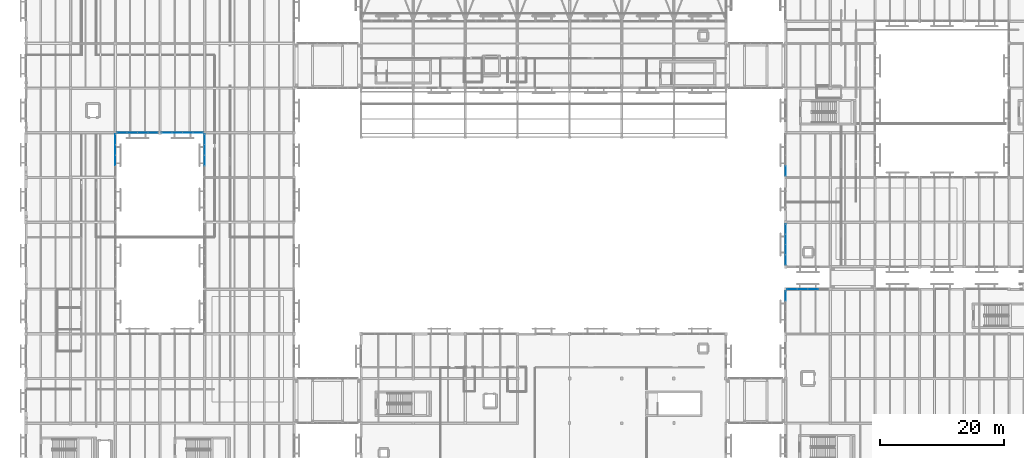
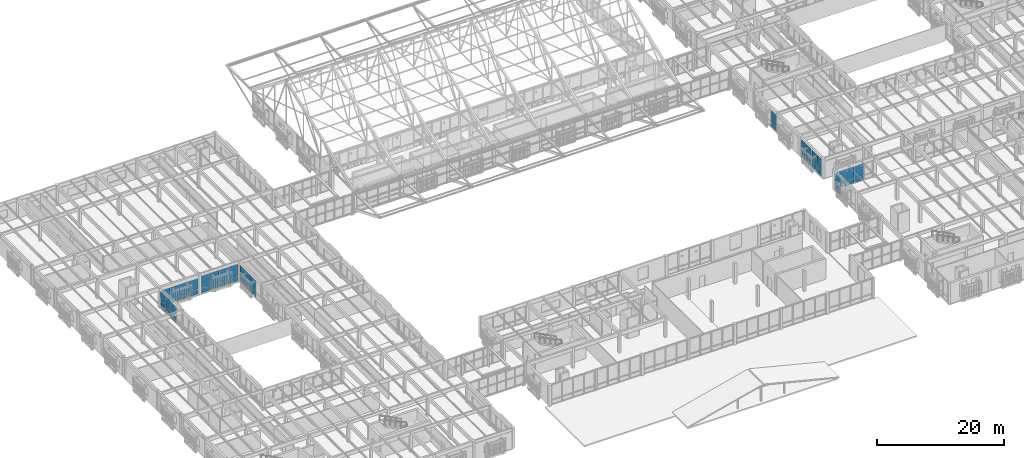
# One storey, part 167 of 217: 46 plates, 8 elements without a shape of their own.
"""IFC4 building model written with IfcOpenShell, lengths in metres."""

from ifc_helpers import new_model, si_unit, direction, frame, origin, origin_2d, place, context, subcontext, project, spatial, rectangle, extrude, material, layer, layer_set, type_object, element, aggregate, save


model = new_model("IFC4")

# Units and contexts
model_context = context("Model", 3, precision=1e-05, world=origin(), true_north=direction((0.0, 1.0)))
body_context = subcontext(model_context, "Body", "Model", "MODEL_VIEW")
ifc_project = project(units=[si_unit("LENGTHUNIT", "METRE"), si_unit("AREAUNIT", "SQUARE_METRE"), si_unit("VOLUMEUNIT", "CUBIC_METRE"), si_unit("PLANEANGLEUNIT", "RADIAN"), si_unit("MASSUNIT", "GRAM", prefix="KILO")], contexts=[model_context])

# Site, building, storey
site_placement = place(None, origin())
site = spatial("IfcSite", under=ifc_project, at=site_placement, CompositionType="ELEMENT")
building_placement = place(site_placement, origin())
building = spatial("IfcBuilding", under=site, at=building_placement, Name="Mazaris Harbour Polytechnic", CompositionType="ELEMENT")
storey_placement = place(building_placement, frame((0.0, 0.0, 9.60009765625)))
storey = spatial("IfcBuildingStorey", under=building, at=storey_placement, Name="L02", CompositionType="ELEMENT", Elevation=9.60009765625)

# Curtain wall, plates
ifc_material_1 = material(Name="Anodised Bronze Aluminium and Low-E Glass", Category="aluminium")
ifc_layer_1 = layer(ifc_material_1, 0.159912109375, Name="Anodised Bronze Aluminium and Low-E Glass")
ifc_layer_set_1 = layer_set([ifc_layer_1], Name="Anodised Bronze Aluminium and Low-E Glass")
curtain_wall_type_1 = type_object("IfcCurtainWallType", Name="Cloister Court Curtain Wall", PredefinedType="NOTDEFINED", material=ifc_layer_set_1)
curtain_wall_1_placement = place(storey_placement, origin())
curtain_wall_1 = element("IfcCurtainWall", 1, at=curtain_wall_1_placement, inside=storey, type_object=curtain_wall_type_1, Name="V2 L02 Curtain Wall 49", PredefinedType="NOTDEFINED")
ifc_material_2 = material(Name="Low-E Double Glazing", Category="glass")
ifc_layer_2 = layer(ifc_material_2, 0.028076171875, Name="Low-E Double Glazing")
ifc_layer_set_2 = layer_set([ifc_layer_2], Name="Low-E Double Glazing")
plate_type_1 = type_object("IfcPlateType", Name="Low-E Vision Glass Panel 28", PredefinedType="CURTAIN_PANEL", material=ifc_layer_set_2)
plate_1_placement = place(storey_placement, frame((123.457763671875, 43.199951171875, 0.079833984375), z_axis=(0.0, 0.0, 1.0), x_axis=(1.0, 0.0, 0.0)))
plate_1 = element("IfcPlate", 2, at=plate_1_placement, type_object=plate_type_1, Name="CW-02 panel 1.1", PredefinedType="CURTAIN_PANEL", context=body_context, shape_type="SweptSolid", body=[
    extrude(rectangle(XDim=1.571533203125, YDim=0.028076171875, at=origin_2d()), origin(), (0.0, 0.0, 1.0), 0.830078125),
])
plate_2_placement = place(storey_placement, frame((123.457763671875, 43.199951171875, 0.98974609375), z_axis=(0.0, 0.0, 1.0), x_axis=(1.0, 0.0, 0.0)))
plate_2 = element("IfcPlate", 3, at=plate_2_placement, type_object=plate_type_1, Name="CW-02 panel 1.2", PredefinedType="CURTAIN_PANEL", context=body_context, shape_type="SweptSolid", body=[
    extrude(rectangle(XDim=1.571533203125, YDim=0.028076171875, at=origin_2d()), origin(), (0.0, 0.0, 1.0), 2.199951171875),
])
plate_3_placement = place(storey_placement, frame((125.129150390625, 43.199951171875, 0.079833984375), z_axis=(0.0, 0.0, 1.0), x_axis=(1.0, 0.0, 0.0)))
plate_3 = element("IfcPlate", 4, at=plate_3_placement, type_object=plate_type_1, Name="CW-02 panel 2.1", PredefinedType="CURTAIN_PANEL", context=body_context, shape_type="SweptSolid", body=[
    extrude(rectangle(XDim=1.611572265625, YDim=0.028076171875, at=origin_2d()), origin(), (0.0, 0.0, 1.0), 0.830078125),
])
plate_4_placement = place(storey_placement, frame((125.129150390625, 43.199951171875, 0.98974609375), z_axis=(0.0, 0.0, 1.0), x_axis=(1.0, 0.0, 0.0)))
plate_4 = element("IfcPlate", 5, at=plate_4_placement, type_object=plate_type_1, Name="CW-02 panel 2.2", PredefinedType="CURTAIN_PANEL", context=body_context, shape_type="SweptSolid", body=[
    extrude(rectangle(XDim=1.611572265625, YDim=0.028076171875, at=origin_2d()), origin(), (0.0, 0.0, 1.0), 2.199951171875),
])
plate_5_placement = place(storey_placement, frame((126.82080078125, 43.199951171875, 0.079833984375), z_axis=(0.0, 0.0, 1.0), x_axis=(1.0, 0.0, 0.0)))
plate_5 = element("IfcPlate", 6, at=plate_5_placement, type_object=plate_type_1, Name="CW-02 panel 3.1", PredefinedType="CURTAIN_PANEL", context=body_context, shape_type="SweptSolid", body=[
    extrude(rectangle(XDim=1.611572265625, YDim=0.028076171875, at=origin_2d()), origin(), (0.0, 0.0, 1.0), 0.830078125),
])
plate_6_placement = place(storey_placement, frame((126.82080078125, 43.199951171875, 0.98974609375), z_axis=(0.0, 0.0, 1.0), x_axis=(1.0, 0.0, 0.0)))
plate_6 = element("IfcPlate", 7, at=plate_6_placement, type_object=plate_type_1, Name="CW-02 panel 3.2", PredefinedType="CURTAIN_PANEL", context=body_context, shape_type="SweptSolid", body=[
    extrude(rectangle(XDim=1.611572265625, YDim=0.028076171875, at=origin_2d()), origin(), (0.0, 0.0, 1.0), 2.199951171875),
])
aggregate(curtain_wall_1, [plate_1, plate_2, plate_3, plate_4, plate_5, plate_6])

curtain_wall_2_placement = place(storey_placement, origin())
curtain_wall_2 = element("IfcCurtainWall", 8, at=curtain_wall_2_placement, inside=storey, type_object=curtain_wall_type_1, Name="V2 L02 Curtain Wall 54", PredefinedType="NOTDEFINED")
plate_7_placement = place(storey_placement, frame((122.39990234375, 42.079833984375, 0.079833984375), z_axis=(0.0, 0.0, 1.0), x_axis=(0.0, 1.0, 0.0)))
plate_7 = element("IfcPlate", 9, at=plate_7_placement, type_object=plate_type_1, Name="CW-02 panel 4.1", PredefinedType="CURTAIN_PANEL", context=body_context, shape_type="SweptSolid", body=[
    extrude(rectangle(XDim=1.556396484375, YDim=0.028076171875, at=origin_2d()), origin(), (0.0, 0.0, 1.0), 0.830078125),
])
plate_8_placement = place(storey_placement, frame((122.39990234375, 42.079833984375, 0.98974609375), z_axis=(0.0, 0.0, 1.0), x_axis=(0.0, 1.0, 0.0)))
plate_8 = element("IfcPlate", 10, at=plate_8_placement, type_object=plate_type_1, Name="CW-02 panel 4.2", PredefinedType="CURTAIN_PANEL", context=body_context, shape_type="SweptSolid", body=[
    extrude(rectangle(XDim=1.556396484375, YDim=0.028076171875, at=origin_2d()), origin(), (0.0, 0.0, 1.0), 2.260009765625),
])
aggregate(curtain_wall_2, [plate_7, plate_8])

curtain_wall_3_placement = place(storey_placement, origin())
curtain_wall_3 = element("IfcCurtainWall", 11, at=curtain_wall_3_placement, inside=storey, type_object=curtain_wall_type_1, Name="V4 L02 Curtain Wall 135", PredefinedType="NOTDEFINED")
plate_9_placement = place(storey_placement, frame((20.493408203125, 68.39990234375, 0.079833984375), z_axis=(0.0, 0.0, 1.0), x_axis=(-1.0, 0.0, 0.0)))
plate_9 = element("IfcPlate", 12, at=plate_9_placement, type_object=plate_type_1, Name="CW-02 panel 1.1", PredefinedType="CURTAIN_PANEL", context=body_context, shape_type="SweptSolid", body=[
    extrude(rectangle(XDim=1.569091796875, YDim=0.028076171875, at=origin_2d()), origin(), (0.0, 0.0, 1.0), 0.830078125),
])
plate_10_placement = place(storey_placement, frame((20.493408203125, 68.39990234375, 0.98974609375), z_axis=(0.0, 0.0, 1.0), x_axis=(-1.0, 0.0, 0.0)))
plate_10 = element("IfcPlate", 13, at=plate_10_placement, type_object=plate_type_1, Name="CW-02 panel 1.2", PredefinedType="CURTAIN_PANEL", context=body_context, shape_type="SweptSolid", body=[
    extrude(rectangle(XDim=1.569091796875, YDim=0.028076171875, at=origin_2d()), origin(), (0.0, 0.0, 1.0), 2.070068359375),
])
plate_11_placement = place(storey_placement, frame((18.824462890625, 68.39990234375, 0.079833984375), z_axis=(0.0, 0.0, 1.0), x_axis=(-1.0, 0.0, 0.0)))
plate_11 = element("IfcPlate", 14, at=plate_11_placement, type_object=plate_type_1, Name="CW-02 panel 2.1", PredefinedType="CURTAIN_PANEL", context=body_context, shape_type="SweptSolid", body=[
    extrude(rectangle(XDim=1.60888671875, YDim=0.028076171875, at=origin_2d()), origin(), (0.0, 0.0, 1.0), 0.830078125),
])
plate_12_placement = place(storey_placement, frame((18.824462890625, 68.39990234375, 0.98974609375), z_axis=(0.0, 0.0, 1.0), x_axis=(-1.0, 0.0, 0.0)))
plate_12 = element("IfcPlate", 15, at=plate_12_placement, type_object=plate_type_1, Name="CW-02 panel 2.2", PredefinedType="CURTAIN_PANEL", context=body_context, shape_type="SweptSolid", body=[
    extrude(rectangle(XDim=1.60888671875, YDim=0.028076171875, at=origin_2d()), origin(), (0.0, 0.0, 1.0), 2.070068359375),
])
plate_13_placement = place(storey_placement, frame((17.135498046875, 68.39990234375, 0.079833984375), z_axis=(0.0, 0.0, 1.0), x_axis=(-1.0, 0.0, 0.0)))
plate_13 = element("IfcPlate", 16, at=plate_13_placement, type_object=plate_type_1, Name="CW-02 panel 3.1", PredefinedType="CURTAIN_PANEL", context=body_context, shape_type="SweptSolid", body=[
    extrude(rectangle(XDim=1.60888671875, YDim=0.028076171875, at=origin_2d()), origin(), (0.0, 0.0, 1.0), 0.830078125),
])
plate_14_placement = place(storey_placement, frame((17.135498046875, 68.39990234375, 0.98974609375), z_axis=(0.0, 0.0, 1.0), x_axis=(-1.0, 0.0, 0.0)))
plate_14 = element("IfcPlate", 17, at=plate_14_placement, type_object=plate_type_1, Name="CW-02 panel 3.2", PredefinedType="CURTAIN_PANEL", context=body_context, shape_type="SweptSolid", body=[
    extrude(rectangle(XDim=1.60888671875, YDim=0.028076171875, at=origin_2d()), origin(), (0.0, 0.0, 1.0), 2.070068359375),
])
plate_15_placement = place(storey_placement, frame((15.466552734375, 68.39990234375, 0.079833984375), z_axis=(0.0, 0.0, 1.0), x_axis=(-1.0, 0.0, 0.0)))
plate_15 = element("IfcPlate", 18, at=plate_15_placement, type_object=plate_type_1, Name="CW-02 panel 4.1", PredefinedType="CURTAIN_PANEL", context=body_context, shape_type="SweptSolid", body=[
    extrude(rectangle(XDim=1.569091796875, YDim=0.028076171875, at=origin_2d()), origin(), (0.0, 0.0, 1.0), 0.830078125),
])
plate_16_placement = place(storey_placement, frame((15.466552734375, 68.39990234375, 0.98974609375), z_axis=(0.0, 0.0, 1.0), x_axis=(-1.0, 0.0, 0.0)))
plate_16 = element("IfcPlate", 19, at=plate_16_placement, type_object=plate_type_1, Name="CW-02 panel 4.2", PredefinedType="CURTAIN_PANEL", context=body_context, shape_type="SweptSolid", body=[
    extrude(rectangle(XDim=1.569091796875, YDim=0.028076171875, at=origin_2d()), origin(), (0.0, 0.0, 1.0), 2.070068359375),
])
aggregate(curtain_wall_3, [plate_9, plate_10, plate_11, plate_12, plate_13, plate_14, plate_15, plate_16])

curtain_wall_4_placement = place(storey_placement, origin())
curtain_wall_4 = element("IfcCurtainWall", 20, at=curtain_wall_4_placement, inside=storey, type_object=curtain_wall_type_1, Name="V4 L02 Curtain Wall 136", PredefinedType="NOTDEFINED")
plate_17_placement = place(storey_placement, frame((27.7509765625, 68.39990234375, 0.079833984375), z_axis=(0.0, 0.0, 1.0), x_axis=(-1.0, 0.0, 0.0)))
plate_17 = element("IfcPlate", 21, at=plate_17_placement, type_object=plate_type_1, Name="CW-02 panel 1.1", PredefinedType="CURTAIN_PANEL", context=body_context, shape_type="SweptSolid", body=[
    extrude(rectangle(XDim=1.573974609375, YDim=0.028076171875, at=origin_2d()), origin(), (0.0, 0.0, 1.0), 0.830078125),
])
plate_18_placement = place(storey_placement, frame((27.7509765625, 68.39990234375, 0.989990234375), z_axis=(0.0, 0.0, 1.0), x_axis=(-1.0, 0.0, 0.0)))
plate_18 = element("IfcPlate", 22, at=plate_18_placement, type_object=plate_type_1, Name="CW-02 panel 1.2", PredefinedType="CURTAIN_PANEL", context=body_context, shape_type="SweptSolid", body=[
    extrude(rectangle(XDim=1.573974609375, YDim=0.028076171875, at=origin_2d()), origin(), (0.0, 0.0, 1.0), 2.2900390625),
])
plate_19_placement = place(storey_placement, frame((26.076904296875, 68.39990234375, 0.079833984375), z_axis=(0.0, 0.0, 1.0), x_axis=(-1.0, 0.0, 0.0)))
plate_19 = element("IfcPlate", 23, at=plate_19_placement, type_object=plate_type_1, Name="CW-02 panel 2.1", PredefinedType="CURTAIN_PANEL", context=body_context, shape_type="SweptSolid", body=[
    extrude(rectangle(XDim=1.614013671875, YDim=0.028076171875, at=origin_2d()), origin(), (0.0, 0.0, 1.0), 0.830078125),
])
plate_20_placement = place(storey_placement, frame((26.076904296875, 68.39990234375, 0.989990234375), z_axis=(0.0, 0.0, 1.0), x_axis=(-1.0, 0.0, 0.0)))
plate_20 = element("IfcPlate", 24, at=plate_20_placement, type_object=plate_type_1, Name="CW-02 panel 2.2", PredefinedType="CURTAIN_PANEL", context=body_context, shape_type="SweptSolid", body=[
    extrude(rectangle(XDim=1.614013671875, YDim=0.028076171875, at=origin_2d()), origin(), (0.0, 0.0, 1.0), 2.2900390625),
])
plate_21_placement = place(storey_placement, frame((24.383056640625, 68.39990234375, 0.079833984375), z_axis=(0.0, 0.0, 1.0), x_axis=(-1.0, 0.0, 0.0)))
plate_21 = element("IfcPlate", 25, at=plate_21_placement, type_object=plate_type_1, Name="CW-02 panel 3.1", PredefinedType="CURTAIN_PANEL", context=body_context, shape_type="SweptSolid", body=[
    extrude(rectangle(XDim=1.614013671875, YDim=0.028076171875, at=origin_2d()), origin(), (0.0, 0.0, 1.0), 0.830078125),
])
plate_22_placement = place(storey_placement, frame((24.383056640625, 68.39990234375, 0.989990234375), z_axis=(0.0, 0.0, 1.0), x_axis=(-1.0, 0.0, 0.0)))
plate_22 = element("IfcPlate", 26, at=plate_22_placement, type_object=plate_type_1, Name="CW-02 panel 3.2", PredefinedType="CURTAIN_PANEL", context=body_context, shape_type="SweptSolid", body=[
    extrude(rectangle(XDim=1.614013671875, YDim=0.028076171875, at=origin_2d()), origin(), (0.0, 0.0, 1.0), 2.2900390625),
])
plate_23_placement = place(storey_placement, frame((22.708984375, 68.39990234375, 0.079833984375), z_axis=(0.0, 0.0, 1.0), x_axis=(-1.0, 0.0, 0.0)))
plate_23 = element("IfcPlate", 27, at=plate_23_placement, type_object=plate_type_1, Name="CW-02 panel 4.1", PredefinedType="CURTAIN_PANEL", context=body_context, shape_type="SweptSolid", body=[
    extrude(rectangle(XDim=1.573974609375, YDim=0.028076171875, at=origin_2d()), origin(), (0.0, 0.0, 1.0), 0.830078125),
])
plate_24_placement = place(storey_placement, frame((22.708984375, 68.39990234375, 0.989990234375), z_axis=(0.0, 0.0, 1.0), x_axis=(-1.0, 0.0, 0.0)))
plate_24 = element("IfcPlate", 28, at=plate_24_placement, type_object=plate_type_1, Name="CW-02 panel 4.2", PredefinedType="CURTAIN_PANEL", context=body_context, shape_type="SweptSolid", body=[
    extrude(rectangle(XDim=1.573974609375, YDim=0.028076171875, at=origin_2d()), origin(), (0.0, 0.0, 1.0), 2.2900390625),
])
aggregate(curtain_wall_4, [plate_17, plate_18, plate_19, plate_20, plate_21, plate_22, plate_23, plate_24])

curtain_wall_5_placement = place(storey_placement, origin())
curtain_wall_5 = element("IfcCurtainWall", 29, at=curtain_wall_5_placement, inside=storey, type_object=curtain_wall_type_1, Name="V4 L02 Curtain Wall 140", PredefinedType="NOTDEFINED")
plate_25_placement = place(storey_placement, frame((14.39990234375, 63.93798828125, 0.079833984375), z_axis=(0.0, 0.0, 1.0), x_axis=(0.0, 1.0, 0.0)))
plate_25 = element("IfcPlate", 30, at=plate_25_placement, type_object=plate_type_1, Name="CW-02 panel 2.1", PredefinedType="CURTAIN_PANEL", context=body_context, shape_type="SweptSolid", body=[
    extrude(rectangle(XDim=1.6240234375, YDim=0.028076171875, at=origin_2d()), origin(), (0.0, 0.0, 1.0), 0.830078125),
])
plate_26_placement = place(storey_placement, frame((14.39990234375, 63.93798828125, 0.989990234375), z_axis=(0.0, 0.0, 1.0), x_axis=(0.0, 1.0, 0.0)))
plate_26 = element("IfcPlate", 31, at=plate_26_placement, type_object=plate_type_1, Name="CW-02 panel 2.2", PredefinedType="CURTAIN_PANEL", context=body_context, shape_type="SweptSolid", body=[
    extrude(rectangle(XDim=1.6240234375, YDim=0.028076171875, at=origin_2d()), origin(), (0.0, 0.0, 1.0), 2.169921875),
])
plate_27_placement = place(storey_placement, frame((14.39990234375, 65.64208984375, 0.079833984375), z_axis=(0.0, 0.0, 1.0), x_axis=(0.0, 1.0, 0.0)))
plate_27 = element("IfcPlate", 32, at=plate_27_placement, type_object=plate_type_1, Name="CW-02 panel 3.1", PredefinedType="CURTAIN_PANEL", context=body_context, shape_type="SweptSolid", body=[
    extrude(rectangle(XDim=1.6240234375, YDim=0.028076171875, at=origin_2d()), origin(), (0.0, 0.0, 1.0), 0.830078125),
])
plate_28_placement = place(storey_placement, frame((14.39990234375, 65.64208984375, 0.989990234375), z_axis=(0.0, 0.0, 1.0), x_axis=(0.0, 1.0, 0.0)))
plate_28 = element("IfcPlate", 33, at=plate_28_placement, type_object=plate_type_1, Name="CW-02 panel 3.2", PredefinedType="CURTAIN_PANEL", context=body_context, shape_type="SweptSolid", body=[
    extrude(rectangle(XDim=1.6240234375, YDim=0.028076171875, at=origin_2d()), origin(), (0.0, 0.0, 1.0), 2.169921875),
])
plate_29_placement = place(storey_placement, frame((14.39990234375, 67.325927734375, 0.079833984375), z_axis=(0.0, 0.0, 1.0), x_axis=(0.0, 1.0, 0.0)))
plate_29 = element("IfcPlate", 34, at=plate_29_placement, type_object=plate_type_1, Name="CW-02 panel 4.1", PredefinedType="CURTAIN_PANEL", context=body_context, shape_type="SweptSolid", body=[
    extrude(rectangle(XDim=1.583984375, YDim=0.028076171875, at=origin_2d()), origin(), (0.0, 0.0, 1.0), 0.830078125),
])
plate_30_placement = place(storey_placement, frame((14.39990234375, 67.325927734375, 0.989990234375), z_axis=(0.0, 0.0, 1.0), x_axis=(0.0, 1.0, 0.0)))
plate_30 = element("IfcPlate", 35, at=plate_30_placement, type_object=plate_type_1, Name="CW-02 panel 4.2", PredefinedType="CURTAIN_PANEL", context=body_context, shape_type="SweptSolid", body=[
    extrude(rectangle(XDim=1.583984375, YDim=0.028076171875, at=origin_2d()), origin(), (0.0, 0.0, 1.0), 2.169921875),
])
aggregate(curtain_wall_5, [plate_25, plate_26, plate_27, plate_28, plate_29, plate_30])

curtain_wall_6_placement = place(storey_placement, origin())
curtain_wall_6 = element("IfcCurtainWall", 36, at=curtain_wall_6_placement, inside=storey, type_object=curtain_wall_type_1, Name="V4 L02 Curtain Wall 144", PredefinedType="NOTDEFINED")
plate_31_placement = place(storey_placement, frame((28.800048828125, 67.341064453125, 0.079833984375), z_axis=(0.0, 0.0, 1.0), x_axis=(0.0, -1.0, 0.0)))
plate_31 = element("IfcPlate", 37, at=plate_31_placement, type_object=plate_type_1, Name="CW-02 panel 1.1", PredefinedType="CURTAIN_PANEL", context=body_context, shape_type="SweptSolid", body=[
    extrude(rectangle(XDim=1.593994140625, YDim=0.028076171875, at=origin_2d()), origin(), (0.0, 0.0, 1.0), 0.830078125),
])
plate_32_placement = place(storey_placement, frame((28.800048828125, 67.341064453125, 0.989990234375), z_axis=(0.0, 0.0, 1.0), x_axis=(0.0, -1.0, 0.0)))
plate_32 = element("IfcPlate", 38, at=plate_32_placement, type_object=plate_type_1, Name="CW-02 panel 1.2", PredefinedType="CURTAIN_PANEL", context=body_context, shape_type="SweptSolid", body=[
    extrude(rectangle(XDim=1.593994140625, YDim=0.028076171875, at=origin_2d()), origin(), (0.0, 0.0, 1.0), 2.22998046875),
])
plate_33_placement = place(storey_placement, frame((28.800048828125, 65.64697265625, 0.079833984375), z_axis=(0.0, 0.0, 1.0), x_axis=(0.0, -1.0, 0.0)))
plate_33 = element("IfcPlate", 39, at=plate_33_placement, type_object=plate_type_1, Name="CW-02 panel 2.1", PredefinedType="CURTAIN_PANEL", context=body_context, shape_type="SweptSolid", body=[
    extrude(rectangle(XDim=1.634033203125, YDim=0.028076171875, at=origin_2d()), origin(), (0.0, 0.0, 1.0), 0.830078125),
])
plate_34_placement = place(storey_placement, frame((28.800048828125, 65.64697265625, 0.989990234375), z_axis=(0.0, 0.0, 1.0), x_axis=(0.0, -1.0, 0.0)))
plate_34 = element("IfcPlate", 40, at=plate_34_placement, type_object=plate_type_1, Name="CW-02 panel 2.2", PredefinedType="CURTAIN_PANEL", context=body_context, shape_type="SweptSolid", body=[
    extrude(rectangle(XDim=1.634033203125, YDim=0.028076171875, at=origin_2d()), origin(), (0.0, 0.0, 1.0), 2.22998046875),
])
plate_35_placement = place(storey_placement, frame((28.800048828125, 63.93310546875, 0.079833984375), z_axis=(0.0, 0.0, 1.0), x_axis=(0.0, -1.0, 0.0)))
plate_35 = element("IfcPlate", 41, at=plate_35_placement, type_object=plate_type_1, Name="CW-02 panel 3.1", PredefinedType="CURTAIN_PANEL", context=body_context, shape_type="SweptSolid", body=[
    extrude(rectangle(XDim=1.634033203125, YDim=0.028076171875, at=origin_2d()), origin(), (0.0, 0.0, 1.0), 0.830078125),
])
plate_36_placement = place(storey_placement, frame((28.800048828125, 63.93310546875, 0.989990234375), z_axis=(0.0, 0.0, 1.0), x_axis=(0.0, -1.0, 0.0)))
plate_36 = element("IfcPlate", 42, at=plate_36_placement, type_object=plate_type_1, Name="CW-02 panel 3.2", PredefinedType="CURTAIN_PANEL", context=body_context, shape_type="SweptSolid", body=[
    extrude(rectangle(XDim=1.634033203125, YDim=0.028076171875, at=origin_2d()), origin(), (0.0, 0.0, 1.0), 2.22998046875),
])
aggregate(curtain_wall_6, [plate_31, plate_32, plate_33, plate_34, plate_35, plate_36])

ifc_material_3 = material(Name="Anodised Bronze Aluminium and Low-E Glass", Category="aluminium")
ifc_layer_3 = layer(ifc_material_3, 0.169921875, Name="Anodised Bronze Aluminium and Low-E Glass")
ifc_layer_set_3 = layer_set([ifc_layer_3], Name="Anodised Bronze Aluminium and Low-E Glass")
curtain_wall_type_2 = type_object("IfcCurtainWallType", Name="Studio North-Light Curtain Wall", PredefinedType="NOTDEFINED", material=ifc_layer_set_3)
curtain_wall_7_placement = place(storey_placement, origin())
curtain_wall_7 = element("IfcCurtainWall", 43, at=curtain_wall_7_placement, inside=storey, type_object=curtain_wall_type_2, Name="V5 L02 Curtain Wall 231", PredefinedType="NOTDEFINED")
ifc_material_4 = material(Name="Solar-Control Low-E Glazing", Category="glass")
ifc_layer_4 = layer(ifc_material_4, 0.031982421875, Name="Solar-Control Low-E Glazing")
ifc_layer_set_4 = layer_set([ifc_layer_4], Name="Solar-Control Low-E Glazing")
plate_type_2 = type_object("IfcPlateType", Name="Solar Control Studio Glass Panel 32", PredefinedType="CURTAIN_PANEL", material=ifc_layer_set_4)
plate_37_placement = place(storey_placement, frame((122.39990234375, 47.912841796875, 0.079833984375), z_axis=(0.0, 0.0, 1.0), x_axis=(0.0, 1.0, 0.0)))
plate_37 = element("IfcPlate", 44, at=plate_37_placement, type_object=plate_type_2, Name="CW-03 panel 1.1", PredefinedType="CURTAIN_PANEL", context=body_context, shape_type="SweptSolid", body=[
    extrude(rectangle(XDim=1.54150390625, YDim=0.031982421875, at=origin_2d()), origin(), (0.0, 0.0, 1.0), 0.830078125),
])
plate_38_placement = place(storey_placement, frame((122.39990234375, 47.912841796875, 0.98974609375), z_axis=(0.0, 0.0, 1.0), x_axis=(0.0, 1.0, 0.0)))
plate_38 = element("IfcPlate", 45, at=plate_38_placement, type_object=plate_type_2, Name="CW-03 panel 1.2", PredefinedType="CURTAIN_PANEL", context=body_context, shape_type="SweptSolid", body=[
    extrude(rectangle(XDim=1.54150390625, YDim=0.031982421875, at=origin_2d()), origin(), (0.0, 0.0, 1.0), 2.320068359375),
])
plate_39_placement = place(storey_placement, frame((122.39990234375, 49.55419921875, 0.079833984375), z_axis=(0.0, 0.0, 1.0), x_axis=(0.0, 1.0, 0.0)))
plate_39 = element("IfcPlate", 46, at=plate_39_placement, type_object=plate_type_2, Name="CW-03 panel 2.1", PredefinedType="CURTAIN_PANEL", context=body_context, shape_type="SweptSolid", body=[
    extrude(rectangle(XDim=1.58154296875, YDim=0.031982421875, at=origin_2d()), origin(), (0.0, 0.0, 1.0), 0.830078125),
])
plate_40_placement = place(storey_placement, frame((122.39990234375, 49.55419921875, 0.98974609375), z_axis=(0.0, 0.0, 1.0), x_axis=(0.0, 1.0, 0.0)))
plate_40 = element("IfcPlate", 47, at=plate_40_placement, type_object=plate_type_2, Name="CW-03 panel 2.2", PredefinedType="CURTAIN_PANEL", context=body_context, shape_type="SweptSolid", body=[
    extrude(rectangle(XDim=1.58154296875, YDim=0.031982421875, at=origin_2d()), origin(), (0.0, 0.0, 1.0), 2.320068359375),
])
plate_41_placement = place(storey_placement, frame((122.39990234375, 51.2158203125, 0.079833984375), z_axis=(0.0, 0.0, 1.0), x_axis=(0.0, 1.0, 0.0)))
plate_41 = element("IfcPlate", 48, at=plate_41_placement, type_object=plate_type_2, Name="CW-03 panel 3.1", PredefinedType="CURTAIN_PANEL", context=body_context, shape_type="SweptSolid", body=[
    extrude(rectangle(XDim=1.58154296875, YDim=0.031982421875, at=origin_2d()), origin(), (0.0, 0.0, 1.0), 0.830078125),
])
plate_42_placement = place(storey_placement, frame((122.39990234375, 51.2158203125, 0.98974609375), z_axis=(0.0, 0.0, 1.0), x_axis=(0.0, 1.0, 0.0)))
plate_42 = element("IfcPlate", 49, at=plate_42_placement, type_object=plate_type_2, Name="CW-03 panel 3.2", PredefinedType="CURTAIN_PANEL", context=body_context, shape_type="SweptSolid", body=[
    extrude(rectangle(XDim=1.58154296875, YDim=0.031982421875, at=origin_2d()), origin(), (0.0, 0.0, 1.0), 2.320068359375),
])
plate_43_placement = place(storey_placement, frame((122.39990234375, 52.857177734375, 0.079833984375), z_axis=(0.0, 0.0, 1.0), x_axis=(0.0, 1.0, 0.0)))
plate_43 = element("IfcPlate", 50, at=plate_43_placement, type_object=plate_type_2, Name="CW-03 panel 4.1", PredefinedType="CURTAIN_PANEL", context=body_context, shape_type="SweptSolid", body=[
    extrude(rectangle(XDim=1.54150390625, YDim=0.031982421875, at=origin_2d()), origin(), (0.0, 0.0, 1.0), 0.830078125),
])
plate_44_placement = place(storey_placement, frame((122.39990234375, 52.857177734375, 0.98974609375), z_axis=(0.0, 0.0, 1.0), x_axis=(0.0, 1.0, 0.0)))
plate_44 = element("IfcPlate", 51, at=plate_44_placement, type_object=plate_type_2, Name="CW-03 panel 4.2", PredefinedType="CURTAIN_PANEL", context=body_context, shape_type="SweptSolid", body=[
    extrude(rectangle(XDim=1.54150390625, YDim=0.031982421875, at=origin_2d()), origin(), (0.0, 0.0, 1.0), 2.320068359375),
])
aggregate(curtain_wall_7, [plate_37, plate_38, plate_39, plate_40, plate_41, plate_42, plate_43, plate_44])

curtain_wall_8_placement = place(storey_placement, origin())
curtain_wall_8 = element("IfcCurtainWall", 52, at=curtain_wall_8_placement, inside=storey, type_object=curtain_wall_type_2, Name="V5 L02 Curtain Wall 232", PredefinedType="NOTDEFINED")
plate_45_placement = place(storey_placement, frame((122.39990234375, 62.239013671875, 0.079833984375), z_axis=(0.0, 0.0, 1.0), x_axis=(0.0, 1.0, 0.0)))
plate_45 = element("IfcPlate", 53, at=plate_45_placement, type_object=plate_type_2, Name="CW-03 panel 1.1", PredefinedType="CURTAIN_PANEL", context=body_context, shape_type="SweptSolid", body=[
    extrude(rectangle(XDim=1.593994140625, YDim=0.031982421875, at=origin_2d()), origin(), (0.0, 0.0, 1.0), 0.830078125),
])
plate_46_placement = place(storey_placement, frame((122.39990234375, 62.239013671875, 0.98974609375), z_axis=(0.0, 0.0, 1.0), x_axis=(0.0, 1.0, 0.0)))
plate_46 = element("IfcPlate", 54, at=plate_46_placement, type_object=plate_type_2, Name="CW-03 panel 1.2", PredefinedType="CURTAIN_PANEL", context=body_context, shape_type="SweptSolid", body=[
    extrude(rectangle(XDim=1.593994140625, YDim=0.031982421875, at=origin_2d()), origin(), (0.0, 0.0, 1.0), 2.199951171875),
])
aggregate(curtain_wall_8, [plate_45, plate_46])

save(model, "model.ifc")
